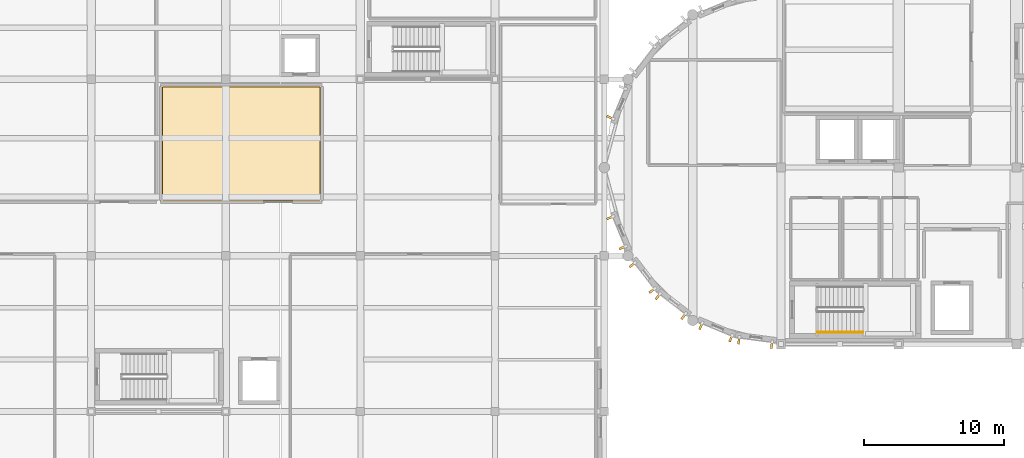
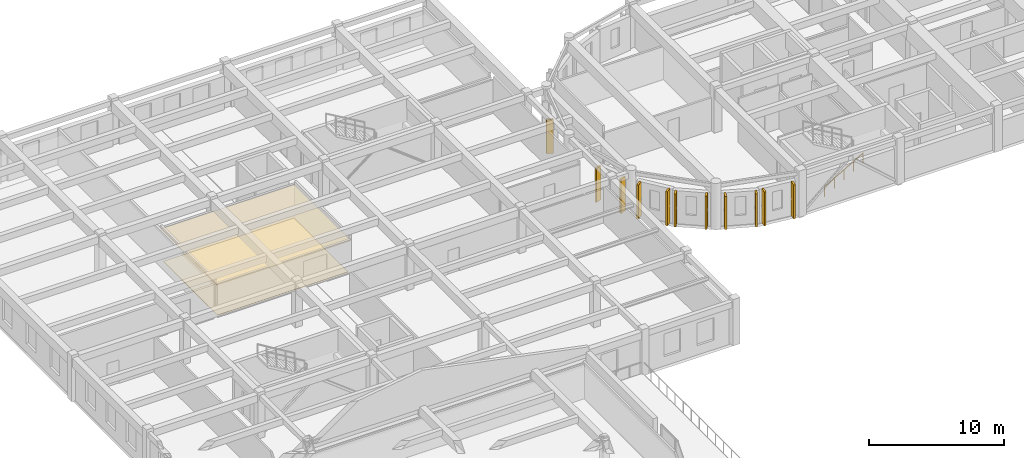
# One storey, part 25 of 31: 13 coverings, 1 railing.
"""IFC4 building model written with IfcOpenShell, lengths in metres."""

from ifc_helpers import new_model, si_unit, direction, frame, origin, origin_2d, place, context, subcontext, project, spatial, polyline, rectangle, circle, outline, extrude, material, layer, layer_set, type_object, element, save


model = new_model("IFC4")

# Units and contexts
model_context = context("Model", 3, precision=1e-05, world=origin(), true_north=direction((0.0, 1.0)))
body_context = subcontext(model_context, "Body", "Model", "MODEL_VIEW")
ifc_project = project(units=[si_unit("LENGTHUNIT", "METRE"), si_unit("AREAUNIT", "SQUARE_METRE"), si_unit("VOLUMEUNIT", "CUBIC_METRE"), si_unit("PLANEANGLEUNIT", "RADIAN"), si_unit("MASSUNIT", "GRAM", prefix="KILO")], contexts=[model_context])

# Site, building, storey
site_placement = place(None, origin())
site = spatial("IfcSite", under=ifc_project, at=site_placement, CompositionType="ELEMENT")
building_placement = place(site_placement, origin())
building = spatial("IfcBuilding", under=site, at=building_placement, Name="Tarnavel Promenade Courthouse", CompositionType="ELEMENT")
storey_placement = place(building_placement, frame((0.0, 0.0, 18.60009765625)))
storey = spatial("IfcBuildingStorey", under=building, at=storey_placement, Name="L05", CompositionType="ELEMENT", Elevation=18.60009765625)

# Railing
ifc_material_1 = material(Name="Brushed Bronze Tubular Stair Handrail")
railing_type = type_object("IfcRailingType", Name="Brushed Bronze Tubular Stair Handrail (RL-HND-0900)", PredefinedType="HANDRAIL", material=ifc_material_1)
railing_placement = place(storey_placement, frame((61.360107421875, 80.050048828125, 0.1748046875)))
element("IfcRailing", 1, at=railing_placement, inside=storey, type_object=railing_type, Name="L05 ST-01 stair handrail 1", PredefinedType="HANDRAIL", context=body_context, shape_type="SweptSolid", body=[
    extrude(circle(Radius=0.02392578125, at=origin_2d()), frame((0.0, 0.0, 0.8759765625), z_axis=(0.863760357493, 0.0, 0.503902812876), x_axis=(0.0, 1.0, 0.0)), (0.0, 0.0, 1.0), 3.8203125),
    extrude(circle(Radius=0.02099609375, at=origin_2d()), origin(), (0.0, 0.0, 1.0), 0.851806640625),
    extrude(circle(Radius=0.02099609375, at=origin_2d()), frame((0.824951171875, 0.0, 0.481201171875)), (0.0, 0.0, 1.0), 0.851806640625),
    extrude(circle(Radius=0.02099609375, at=origin_2d()), frame((1.64990234375, 0.0, 0.96240234375)), (0.0, 0.0, 1.0), 0.851806640625),
    extrude(circle(Radius=0.02099609375, at=origin_2d()), frame((2.474853515625, 0.0, 1.44384765625)), (0.0, 0.0, 1.0), 0.851806640625),
    extrude(circle(Radius=0.02099609375, at=origin_2d()), frame((3.2998046875, 0.0, 1.925048828125)), (0.0, 0.0, 1.0), 0.851806640625),
])

# Coverings
ifc_material_2 = material(Name="Engineered Smoked Oak Courtroom & Chambers Parquet")
ifc_layer_1 = layer(ifc_material_2, 0.031982421875)
ifc_layer_set_1 = layer_set([ifc_layer_1], Name="Engineered Smoked Oak Courtroom & Chambers Parquet")
covering_type_1 = type_object("IfcCoveringType", Name="Engineered Smoked Oak Courtroom & Chambers Parquet (COV-FLR-OAK-32)", PredefinedType="FLOORING", material=ifc_layer_set_1)
covering_1_placement = place(storey_placement, origin())
element("IfcCovering", 2, at=covering_1_placement, inside=storey, type_object=covering_type_1, Name="L05 Appellate Division Courtroom B Architectural Flooring 0032", PredefinedType="FLOORING", context=body_context, shape_type="SweptSolid", body=[
    extrude(outline(polyline([(14.697021484375, 89.489990234375), (25.909912109375, 89.489990234375), (25.909912109375, 97.550048828125), (14.697021484375, 97.550048828125), (14.697021484375, 89.489990234375)])), origin(), (0.0, 0.0, 1.0), 0.031982421875),
])
ifc_material_3 = material(Name="Patinated Copper-Bronze Fluted Pier Cladding")
ifc_layer_2 = layer(ifc_material_3, 0.52001953125)
ifc_layer_set_2 = layer_set([ifc_layer_2], Name="Patinated Copper-Bronze Fluted Pier Cladding")
covering_type_2 = type_object("IfcCoveringType", Name="Patinated Copper-Bronze Fluted Pier Cladding COV-PIER-520 (520 mm)", PredefinedType="CLADDING", material=ifc_layer_set_2)
for number, where, z_axis, x_axis, name in (
    (3, (46.607177734375, 95.373291015625, 0.0), (0.0, 0.0, 1.0), (-0.382683432365, -0.923879532511, 0.0), "L05 W Drum Fluted Copper Pier 0144"),
    (4, (46.607177734375, 88.2265625, 0.0), (0.0, 0.0, 1.0), (0.382683432365, -0.923879532511, 0.0), "L05 W Drum Fluted Copper Pier 0145"),
    (5, (47.492919921875, 86.08837890625, 0.0), (0.0, 0.0, 1.0), (0.382683432365, -0.923879532511, 0.0), "L05 W Drum Fluted Copper Pier 0146"),
    (6, (48.2001953125, 84.86328125, 0.0), (0.0, 0.0, 1.0), (0.608761429009, -0.793353340291, 0.0), "L05 W Drum Fluted Copper Pier 0147"),
    (7, (49.60888671875, 83.02734375, 0.0), (0.0, 0.0, 1.0), (0.608761429009, -0.793353340291, 0.0), "L05 W Drum Fluted Copper Pier 0148"),
):
    element("IfcCovering", number, at=place(storey_placement, frame(where, z_axis=z_axis, x_axis=x_axis)), inside=storey, type_object=covering_type_2, Name=name, PredefinedType="CLADDING", context=body_context, shape_type="SweptSolid", body=[
        extrude(rectangle(XDim=0.159912109375, YDim=0.52001953125, at=origin_2d()), origin(), (0.0, 0.0, 1.0), 3.090087890625),
    ])
for number, where, z_axis, x_axis, name in (
    (8, (50.02734375, 82.60888671875, 0.0), (0.0, 0.0, 1.0), (0.793353340291, -0.608761429009, 0.0), "L05 W Drum Fluted Copper Pier 0149"),
    (9, (51.86328125, 81.2001953125, 0.0), (0.0, 0.0, 1.0), (0.793353340291, -0.608761429009, 0.0), "L05 W Drum Fluted Copper Pier 0150"),
    (10, (53.08837890625, 80.492919921875, 0.0), (0.0, 0.0, 1.0), (0.923879532511, -0.382683432365, 0.0), "L05 W Drum Fluted Copper Pier 0151"),
    (11, (55.2265625, 79.607177734375, 0.0), (0.0, 0.0, 1.0), (0.923879532511, -0.382683432365, 0.0), "L05 W Drum Fluted Copper Pier 0152"),
):
    element("IfcCovering", number, at=place(storey_placement, frame(where, z_axis=z_axis, x_axis=x_axis)), inside=storey, type_object=covering_type_2, Name=name, PredefinedType="CLADDING", context=body_context, shape_type="SweptSolid", body=[
        extrude(rectangle(XDim=0.159912109375, YDim=0.52001953125, at=origin_2d()), origin(), (0.0, 0.0, 1.0), 2.989990234375),
    ])
for number, where, z_axis, x_axis, name in (
    (12, (55.798095703125, 79.4541015625, 0.0), (0.0, 0.0, 1.0), (0.991444861374, -0.13052619222, 0.0), "L05 W Drum Fluted Copper Pier 0153"),
    (13, (58.14208984375, 79.1455078125, 0.0), (0.0, 0.0, 1.0), (0.991444861374, -0.13052619222, 0.0), "L05 W Drum Fluted Copper Pier 0154"),
):
    element("IfcCovering", number, at=place(storey_placement, frame(where, z_axis=z_axis, x_axis=x_axis)), inside=storey, type_object=covering_type_2, Name=name, PredefinedType="CLADDING", context=body_context, shape_type="SweptSolid", body=[
        extrude(rectangle(XDim=0.159912109375, YDim=0.52001953125, at=origin_2d()), origin(), (0.0, 0.0, 1.0), 3.090087890625),
    ])
ifc_material_4 = material(Name="Slatted Acoustic White Oak Baffle Ceiling")
ifc_layer_3 = layer(ifc_material_4, 0.06494140625)
ifc_layer_set_3 = layer_set([ifc_layer_3], Name="Slatted Acoustic White Oak Baffle Ceiling")
covering_type_3 = type_object("IfcCoveringType", Name="Slatted Acoustic White Oak Baffle Ceiling (COV-CLG-OAK-65)", PredefinedType="CEILING", material=ifc_layer_set_3)
covering_2_placement = place(storey_placement, frame((0.0, 0.0, 2.875)))
element("IfcCovering", 14, at=covering_2_placement, inside=storey, type_object=covering_type_3, Name="L05 Appellate Division Courtroom B Acoustic Ceiling 0032", PredefinedType="CEILING", context=body_context, shape_type="SweptSolid", body=[
    extrude(outline(polyline([(14.547119140625, 89.340087890625), (26.06005859375, 89.340087890625), (26.06005859375, 97.699951171875), (14.547119140625, 97.699951171875), (14.547119140625, 89.340087890625)])), origin(), (0.0, 0.0, 1.0), 0.06494140625),
])

save(model, "model.ifc")
